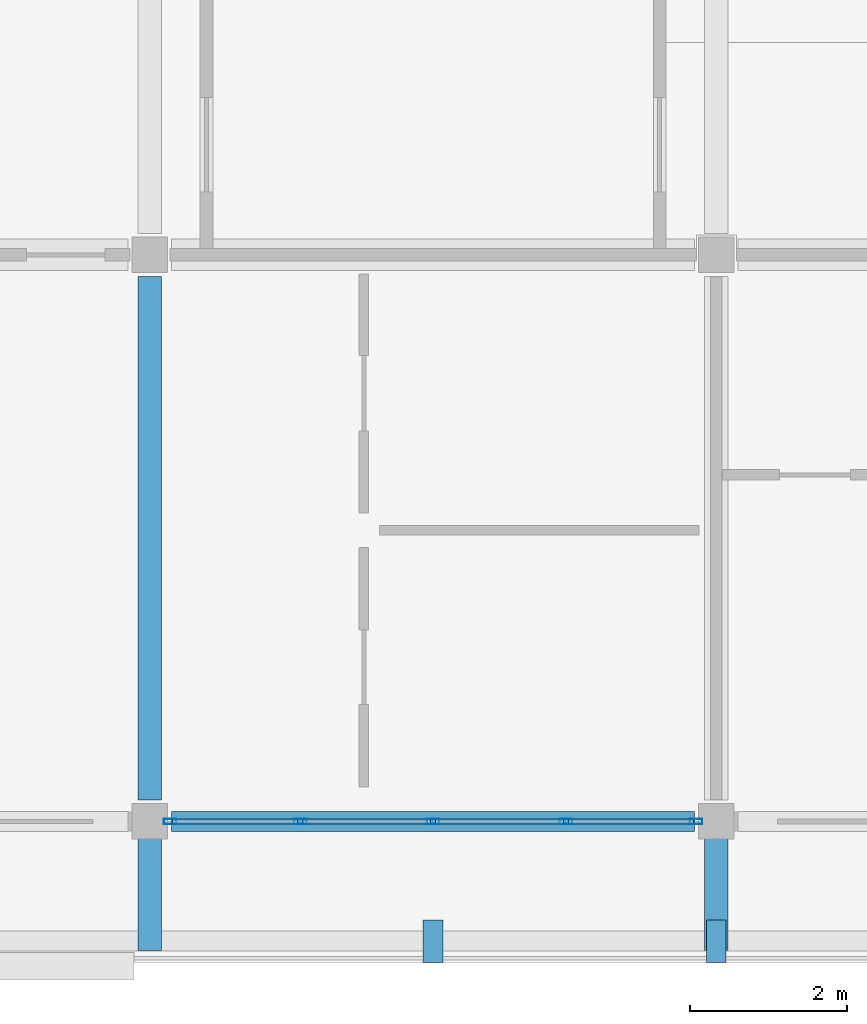
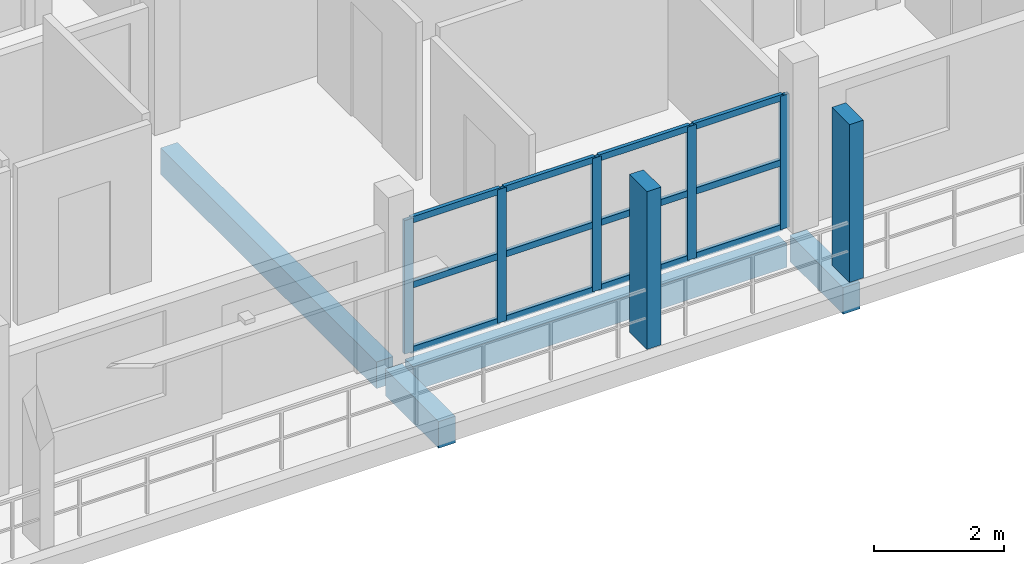
# One storey, part 20 of 56: 19 members, 4 beams, 1 element without a shape of its own.
"""IFC4 building model written with IfcOpenShell, lengths in metres."""

from ifc_helpers import new_model, si_unit, direction, frame, origin, origin_2d, place, context, subcontext, project, spatial, rectangle, hollow_rectangle, extrude, material, material_profile, profile_set, type_object, element, aggregate, save


model = new_model("IFC4")

# Units and contexts
model_context = context("Model", 3, precision=1e-05, world=origin(), true_north=direction((0.0, 1.0)))
body_context = subcontext(model_context, "Body", "Model", "MODEL_VIEW")
ifc_project = project(units=[si_unit("LENGTHUNIT", "METRE"), si_unit("AREAUNIT", "SQUARE_METRE"), si_unit("VOLUMEUNIT", "CUBIC_METRE"), si_unit("PLANEANGLEUNIT", "RADIAN"), si_unit("MASSUNIT", "GRAM", prefix="KILO")], contexts=[model_context])

# Site, building, storey
site_placement = place(None, origin())
site = spatial("IfcSite", under=ifc_project, at=site_placement, CompositionType="ELEMENT")
building_placement = place(site_placement, origin())
building = spatial("IfcBuilding", under=site, at=building_placement, Name="Suanplinth Sawtooth Commons", CompositionType="ELEMENT")
storey_placement = place(building_placement, frame((0.0, 0.0, 34.800048828125)))
storey = spatial("IfcBuildingStorey", under=building, at=storey_placement, Name="L10", CompositionType="ELEMENT", Elevation=34.800048828125)

# Beams
ifc_material_1 = material(Name="Precast concrete C40/50", Category="concrete")
ifc_material_profile_1 = material_profile(ifc_material_1, rectangle(XDim=0.300048828125, YDim=0.5, at=origin_2d()), Name="PC-BM 300x500")
ifc_profile_set_1 = profile_set([ifc_material_profile_1], Name="Precast concrete C40/50")
beam_type_1 = type_object("IfcBeamType", Name="B-07", PredefinedType="BEAM", material=ifc_profile_set_1)
beam_1_placement = place(storey_placement, frame((165.60009765625, 0.27490234375, -0.469970703125), z_axis=(0.0, 1.0, 0.0), x_axis=(-1.0, 0.0, 0.0)))
element("IfcBeam", 1, at=beam_1_placement, inside=storey, type_object=beam_type_1, Name="BMY-L10-C-23-0", PredefinedType="BEAM", context=body_context, shape_type="SweptSolid", body=[
    extrude(rectangle(XDim=0.300048828125, YDim=0.5, at=origin_2d()), origin(), (0.0, 0.0, 1.0), 6.650146484375),
])
for number, where, z_axis, x_axis, name in (
    (2, (165.60009765625, 0.0, -0.429931640625), (0.0, -1.0, 0.0), (1.0, 0.0, 0.0), "Balcony Outrigger L10-C-S-23"),
    (3, (172.800048828125, 0.0, -0.429931640625), (0.0, -1.0, 0.0), (1.0, 0.0, 0.0), "Balcony Outrigger L10-C-S-24"),
):
    element("IfcBeam", number, at=place(storey_placement, frame(where, z_axis=z_axis, x_axis=x_axis)), inside=storey, type_object=beam_type_1, Name=name, PredefinedType="BEAM", context=body_context, shape_type="SweptSolid", body=[
        extrude(rectangle(XDim=0.300048828125, YDim=0.5, at=origin_2d()), origin(), (0.0, 0.0, 1.0), 1.639892578125),
    ])
ifc_material_profile_2 = material_profile(ifc_material_1, rectangle(XDim=0.25, YDim=0.449951171875, at=origin_2d()), Name="PC-SP 250x450")
ifc_profile_set_2 = profile_set([ifc_material_profile_2], Name="Precast concrete C40/50")
beam_type_2 = type_object("IfcBeamType", Name="B-09", PredefinedType="SPANDREL", material=ifc_profile_set_2)
beam_2_placement = place(storey_placement, frame((165.875, 0.0, -0.445068359375), z_axis=(1.0, 0.0, 0.0), x_axis=(0.0, 1.0, 0.0)))
element("IfcBeam", 4, at=beam_2_placement, inside=storey, type_object=beam_type_2, Name="BMX-L10-C-23-0", PredefinedType="SPANDREL", context=body_context, shape_type="SweptSolid", body=[
    extrude(rectangle(XDim=0.25, YDim=0.449951171875, at=origin_2d()), origin(), (0.0, 0.0, 1.0), 6.64990234375),
])

# Members
ifc_material_2 = material(Name="Pigmented precast concrete C40/50", Category="concrete")
ifc_material_profile_3 = material_profile(ifc_material_2, rectangle(XDim=0.25, YDim=0.5400390625, at=origin_2d()), Name="PC-FIN 250x540")
ifc_profile_set_3 = profile_set([ifc_material_profile_3], Name="Pigmented precast concrete C40/50")
member_type_1 = type_object("IfcMemberType", Name="M-11", PredefinedType="USERDEFINED", material=ifc_profile_set_3)
for number, where, z_axis, x_axis, name in (
    (5, (169.199951171875, -1.52001953125, 0.0), (0.0, 0.0, 1.0), (1.0, 0.0, 0.0), "Upright Solar Blade L10-C-S-06"),
    (6, (172.800048828125, -1.52001953125, 0.0), (0.0, 0.0, 1.0), (1.0, 0.0, 0.0), "Upright Solar Blade L10-C-S-07"),
):
    element("IfcMember", number, at=place(storey_placement, frame(where, z_axis=z_axis, x_axis=x_axis)), inside=storey, type_object=member_type_1, Name=name, ObjectType="SHADING FIN", PredefinedType="USERDEFINED", context=body_context, shape_type="SweptSolid", body=[
        extrude(rectangle(XDim=0.25, YDim=0.5400390625, at=origin_2d()), origin(), (0.0, 0.0, 1.0), 2.969970703125),
    ])

# Curtain wall, members
ifc_material_3 = material(Name="Anodized aluminium and low-E glazing", Category="aluminium")
curtain_wall_type = type_object("IfcCurtainWallType", Name="CW-06", PredefinedType="USERDEFINED", material=ifc_material_3)
curtain_wall_placement = place(storey_placement, origin())
curtain_wall = element("IfcCurtainWall", 7, at=curtain_wall_placement, inside=storey, type_object=curtain_wall_type, Name="Curtain Wall CW-L10-C-LOUNGE-23", ObjectType="CURTAIN WALL", PredefinedType="USERDEFINED")
ifc_material_4 = material(Name="Anodized aluminium 6063-T6", Category="aluminium")
ifc_material_profile_4 = material_profile(ifc_material_4, hollow_rectangle(XDim=0.06494140625, YDim=0.159912109375, WallThickness=0.00390625, at=origin_2d()), Name="ALU-MUL 65x160")
ifc_profile_set_4 = profile_set([ifc_material_profile_4], Name="Anodized aluminium 6063-T6")
member_type_2 = type_object("IfcMemberType", Name="M-13", PredefinedType="MULLION", material=ifc_profile_set_4)
member_1_placement = place(storey_placement, frame((165.857421875, 0.0, 0.0), z_axis=(0.0, 0.0, 1.0), x_axis=(0.0, 1.0, 0.0)))
member_1 = element("IfcMember", 8, at=member_1_placement, type_object=member_type_2, Name="CW-06 mullion 1", PredefinedType="MULLION", context=body_context, shape_type="SweptSolid", body=[
    extrude(hollow_rectangle(XDim=0.06494140625, YDim=0.159912109375, WallThickness=0.00390625, at=origin_2d()), origin(), (0.0, 0.0, 1.0), 2.510009765625),
])
member_2_placement = place(storey_placement, frame((167.512451171875, 0.0, 0.0), z_axis=(0.0, 0.0, 1.0), x_axis=(0.0, 1.0, 0.0)))
member_2 = element("IfcMember", 9, at=member_2_placement, type_object=member_type_2, Name="CW-06 mullion 2", PredefinedType="MULLION", context=body_context, shape_type="SweptSolid", body=[
    extrude(hollow_rectangle(XDim=0.06494140625, YDim=0.159912109375, WallThickness=0.00390625, at=origin_2d()), origin(), (0.0, 0.0, 1.0), 2.510009765625),
])
member_3_placement = place(storey_placement, frame((169.199951171875, 0.0, 0.0), z_axis=(0.0, 0.0, 1.0), x_axis=(0.0, 1.0, 0.0)))
member_3 = element("IfcMember", 10, at=member_3_placement, type_object=member_type_2, Name="CW-06 mullion 3", PredefinedType="MULLION", context=body_context, shape_type="SweptSolid", body=[
    extrude(hollow_rectangle(XDim=0.06494140625, YDim=0.159912109375, WallThickness=0.00390625, at=origin_2d()), origin(), (0.0, 0.0, 1.0), 2.510009765625),
])
member_4_placement = place(storey_placement, frame((170.887451171875, 0.0, 0.0), z_axis=(0.0, 0.0, 1.0), x_axis=(0.0, 1.0, 0.0)))
member_4 = element("IfcMember", 11, at=member_4_placement, type_object=member_type_2, Name="CW-06 mullion 4", PredefinedType="MULLION", context=body_context, shape_type="SweptSolid", body=[
    extrude(hollow_rectangle(XDim=0.06494140625, YDim=0.159912109375, WallThickness=0.00390625, at=origin_2d()), origin(), (0.0, 0.0, 1.0), 2.510009765625),
])
member_5_placement = place(storey_placement, frame((172.54248046875, 0.0, 0.0), z_axis=(0.0, 0.0, 1.0), x_axis=(0.0, 1.0, 0.0)))
member_5 = element("IfcMember", 12, at=member_5_placement, type_object=member_type_2, Name="CW-06 mullion 5", PredefinedType="MULLION", context=body_context, shape_type="SweptSolid", body=[
    extrude(hollow_rectangle(XDim=0.06494140625, YDim=0.159912109375, WallThickness=0.00390625, at=origin_2d()), origin(), (0.0, 0.0, 1.0), 2.510009765625),
])
ifc_material_profile_5 = material_profile(ifc_material_4, hollow_rectangle(XDim=0.06494140625, YDim=0.1201171875, WallThickness=0.00390625, at=origin_2d()), Name="ALU-TRN 65x120")
ifc_profile_set_5 = profile_set([ifc_material_profile_5], Name="Anodized aluminium 6063-T6")
member_type_3 = type_object("IfcMemberType", Name="M-15", PredefinedType="USERDEFINED", material=ifc_profile_set_5)
member_6_placement = place(storey_placement, frame((165.889892578125, 0.0, 0.032470703125), z_axis=(1.0, 0.0, 0.0), x_axis=(0.0, 1.0, 0.0)))
member_6 = element("IfcMember", 13, at=member_6_placement, type_object=member_type_3, Name="CW-06 transom 1.1", ObjectType="TRANSOM", PredefinedType="USERDEFINED", context=body_context, shape_type="SweptSolid", body=[
    extrude(hollow_rectangle(XDim=0.06494140625, YDim=0.1201171875, WallThickness=0.00390625, at=origin_2d()), origin(), (0.0, 0.0, 1.0), 1.590087890625),
])
member_7_placement = place(storey_placement, frame((165.889892578125, 0.0, 1.2548828125), z_axis=(1.0, 0.0, 0.0), x_axis=(0.0, 1.0, 0.0)))
member_7 = element("IfcMember", 14, at=member_7_placement, type_object=member_type_3, Name="CW-06 transom 1.2", ObjectType="TRANSOM", PredefinedType="USERDEFINED", context=body_context, shape_type="SweptSolid", body=[
    extrude(hollow_rectangle(XDim=0.06494140625, YDim=0.1201171875, WallThickness=0.00390625, at=origin_2d()), origin(), (0.0, 0.0, 1.0), 1.590087890625),
])
member_8_placement = place(storey_placement, frame((165.889892578125, 0.0, 2.4775390625), z_axis=(1.0, 0.0, 0.0), x_axis=(0.0, 1.0, 0.0)))
member_8 = element("IfcMember", 15, at=member_8_placement, type_object=member_type_3, Name="CW-06 transom 1.3", ObjectType="TRANSOM", PredefinedType="USERDEFINED", context=body_context, shape_type="SweptSolid", body=[
    extrude(hollow_rectangle(XDim=0.06494140625, YDim=0.1201171875, WallThickness=0.00390625, at=origin_2d()), origin(), (0.0, 0.0, 1.0), 1.590087890625),
])
member_9_placement = place(storey_placement, frame((167.544921875, 0.0, 0.032470703125), z_axis=(1.0, 0.0, 0.0), x_axis=(0.0, 1.0, 0.0)))
member_9 = element("IfcMember", 16, at=member_9_placement, type_object=member_type_3, Name="CW-06 transom 2.1", ObjectType="TRANSOM", PredefinedType="USERDEFINED", context=body_context, shape_type="SweptSolid", body=[
    extrude(hollow_rectangle(XDim=0.06494140625, YDim=0.1201171875, WallThickness=0.00390625, at=origin_2d()), origin(), (0.0, 0.0, 1.0), 1.62255859375),
])
member_10_placement = place(storey_placement, frame((167.544921875, 0.0, 1.2548828125), z_axis=(1.0, 0.0, 0.0), x_axis=(0.0, 1.0, 0.0)))
member_10 = element("IfcMember", 17, at=member_10_placement, type_object=member_type_3, Name="CW-06 transom 2.2", ObjectType="TRANSOM", PredefinedType="USERDEFINED", context=body_context, shape_type="SweptSolid", body=[
    extrude(hollow_rectangle(XDim=0.06494140625, YDim=0.1201171875, WallThickness=0.00390625, at=origin_2d()), origin(), (0.0, 0.0, 1.0), 1.62255859375),
])
member_11_placement = place(storey_placement, frame((167.544921875, 0.0, 2.4775390625), z_axis=(1.0, 0.0, 0.0), x_axis=(0.0, 1.0, 0.0)))
member_11 = element("IfcMember", 18, at=member_11_placement, type_object=member_type_3, Name="CW-06 transom 2.3", ObjectType="TRANSOM", PredefinedType="USERDEFINED", context=body_context, shape_type="SweptSolid", body=[
    extrude(hollow_rectangle(XDim=0.06494140625, YDim=0.1201171875, WallThickness=0.00390625, at=origin_2d()), origin(), (0.0, 0.0, 1.0), 1.62255859375),
])
member_12_placement = place(storey_placement, frame((169.232421875, 0.0, 0.032470703125), z_axis=(1.0, 0.0, 0.0), x_axis=(0.0, 1.0, 0.0)))
member_12 = element("IfcMember", 19, at=member_12_placement, type_object=member_type_3, Name="CW-06 transom 3.1", ObjectType="TRANSOM", PredefinedType="USERDEFINED", context=body_context, shape_type="SweptSolid", body=[
    extrude(hollow_rectangle(XDim=0.06494140625, YDim=0.1201171875, WallThickness=0.00390625, at=origin_2d()), origin(), (0.0, 0.0, 1.0), 1.62255859375),
])
member_13_placement = place(storey_placement, frame((169.232421875, 0.0, 1.2548828125), z_axis=(1.0, 0.0, 0.0), x_axis=(0.0, 1.0, 0.0)))
member_13 = element("IfcMember", 20, at=member_13_placement, type_object=member_type_3, Name="CW-06 transom 3.2", ObjectType="TRANSOM", PredefinedType="USERDEFINED", context=body_context, shape_type="SweptSolid", body=[
    extrude(hollow_rectangle(XDim=0.06494140625, YDim=0.1201171875, WallThickness=0.00390625, at=origin_2d()), origin(), (0.0, 0.0, 1.0), 1.62255859375),
])
member_14_placement = place(storey_placement, frame((169.232421875, 0.0, 2.4775390625), z_axis=(1.0, 0.0, 0.0), x_axis=(0.0, 1.0, 0.0)))
member_14 = element("IfcMember", 21, at=member_14_placement, type_object=member_type_3, Name="CW-06 transom 3.3", ObjectType="TRANSOM", PredefinedType="USERDEFINED", context=body_context, shape_type="SweptSolid", body=[
    extrude(hollow_rectangle(XDim=0.06494140625, YDim=0.1201171875, WallThickness=0.00390625, at=origin_2d()), origin(), (0.0, 0.0, 1.0), 1.62255859375),
])
member_15_placement = place(storey_placement, frame((170.919921875, 0.0, 0.032470703125), z_axis=(1.0, 0.0, 0.0), x_axis=(0.0, 1.0, 0.0)))
member_15 = element("IfcMember", 22, at=member_15_placement, type_object=member_type_3, Name="CW-06 transom 4.1", ObjectType="TRANSOM", PredefinedType="USERDEFINED", context=body_context, shape_type="SweptSolid", body=[
    extrude(hollow_rectangle(XDim=0.06494140625, YDim=0.1201171875, WallThickness=0.00390625, at=origin_2d()), origin(), (0.0, 0.0, 1.0), 1.590087890625),
])
member_16_placement = place(storey_placement, frame((170.919921875, 0.0, 1.2548828125), z_axis=(1.0, 0.0, 0.0), x_axis=(0.0, 1.0, 0.0)))
member_16 = element("IfcMember", 23, at=member_16_placement, type_object=member_type_3, Name="CW-06 transom 4.2", ObjectType="TRANSOM", PredefinedType="USERDEFINED", context=body_context, shape_type="SweptSolid", body=[
    extrude(hollow_rectangle(XDim=0.06494140625, YDim=0.1201171875, WallThickness=0.00390625, at=origin_2d()), origin(), (0.0, 0.0, 1.0), 1.590087890625),
])
member_17_placement = place(storey_placement, frame((170.919921875, 0.0, 2.4775390625), z_axis=(1.0, 0.0, 0.0), x_axis=(0.0, 1.0, 0.0)))
member_17 = element("IfcMember", 24, at=member_17_placement, type_object=member_type_3, Name="CW-06 transom 4.3", ObjectType="TRANSOM", PredefinedType="USERDEFINED", context=body_context, shape_type="SweptSolid", body=[
    extrude(hollow_rectangle(XDim=0.06494140625, YDim=0.1201171875, WallThickness=0.00390625, at=origin_2d()), origin(), (0.0, 0.0, 1.0), 1.590087890625),
])
aggregate(curtain_wall, [member_1, member_2, member_3, member_4, member_5, member_6, member_7, member_8, member_9, member_10, member_11, member_12, member_13, member_14, member_15, member_16, member_17])

save(model, "model.ifc")
